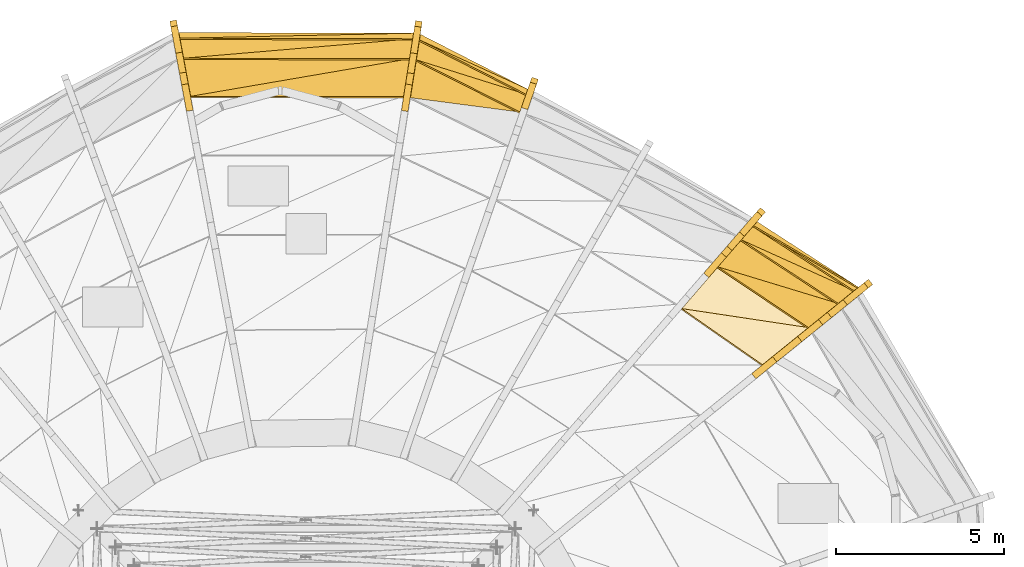
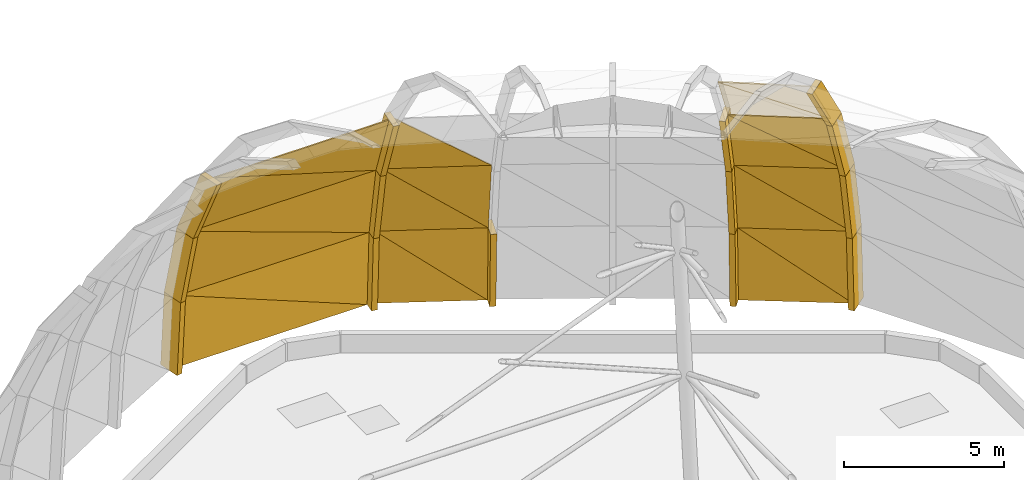
# One storey, part 27 of 27: 19 coverings, 14 shading devices.
"""IFC4 building model written with IfcOpenShell, lengths in metres."""

from ifc_helpers import new_model, si_unit, direction, frame, origin, place, context, subcontext, project, spatial, polyline, outline, extrude, material, layer, layer_set, type_object, element, save


model = new_model("IFC4")

# Units and contexts
model_context = context("Model", 3, precision=1e-05, world=origin(), true_north=direction((0.0, 1.0)))
body_context = subcontext(model_context, "Body", "Model", "MODEL_VIEW")
ifc_project = project(units=[si_unit("LENGTHUNIT", "METRE"), si_unit("AREAUNIT", "SQUARE_METRE"), si_unit("VOLUMEUNIT", "CUBIC_METRE"), si_unit("PLANEANGLEUNIT", "RADIAN"), si_unit("MASSUNIT", "GRAM", prefix="KILO")], contexts=[model_context])

# Site, building, storey
site_placement = place(None, origin())
site = spatial("IfcSite", under=ifc_project, at=site_placement, CompositionType="ELEMENT")
building_placement = place(site_placement, origin())
building = spatial("IfcBuilding", under=site, at=building_placement, Name="Ayvan Gate Tower", CompositionType="ELEMENT")
storey_placement = place(building_placement, frame((0.0, 0.0, 267.699951171875)))
storey = spatial("IfcBuildingStorey", under=building, at=storey_placement, Name="Roof", CompositionType="ELEMENT", Elevation=267.699951171875)

# Shading devices
ifc_material_1 = material(Name="Bronze anodised aluminium", Category="aluminium")
ifc_layer_1 = layer(ifc_material_1, 0.199951171875)
ifc_layer_set_1 = layer_set([ifc_layer_1], Name="Bronze anodised aluminium")
shading_device_type = type_object("IfcShadingDeviceType", Name="Crown frame rib 800 x 200", PredefinedType="USERDEFINED", material=ifc_layer_set_1)
shading_device_1_placement = place(storey_placement, frame((-3.712646484375, 20.570068359375, 0.0), z_axis=(0.983263666247, 0.182187588066, 0.000495372083), x_axis=(-0.18218761042, 0.98326378689, 0.0)))
element("IfcShadingDevice", 1, at=shading_device_1_placement, inside=storey, type_object=shading_device_type, Name="CROWN FRAME rib FD01.3.1", ObjectType="FIN", PredefinedType="USERDEFINED", context=body_context, shape_type="SweptSolid", body=[
    extrude(outline(polyline([(0.0, 0.0), (0.8000102355421451, 0.0), (0.6301908031982645, 2.870117539654117), (-0.16981943234388058, 2.870117539654117), (0.0, 0.0)])), origin(), (0.0, 0.0, -1.0), 0.199951171875),
])
shading_device_2_placement = place(storey_placement, frame((-3.681640625, 20.403076171875, 2.8701171875), z_axis=(0.983263669181, 0.18218758861, 0.000489310608), x_axis=(-0.18218761042, 0.98326378689, 0.0)))
element("IfcShadingDevice", 2, at=shading_device_2_placement, inside=storey, type_object=shading_device_type, Name="CROWN FRAME rib FD02.3.1", ObjectType="FIN", PredefinedType="USERDEFINED", context=body_context, shape_type="SweptSolid", body=[
    extrude(outline(polyline([(0.0, 0.0), (0.8000102355421451, 1.3552527156068805e-20), (0.19367447059335557, 2.7768558011741904), (-0.6063357649487896, 2.7768558011741904), (0.0, 0.0)])), origin(), (0.0, 0.0, -1.0), 0.199951171875),
])
shading_device_3_placement = place(storey_placement, frame((-3.571044921875, 19.80712890625, 5.64697265625), z_axis=(0.983258575072, 0.182214921409, 0.000544943434), x_axis=(-0.182214948472, 0.983258721066, 1.5156e-08)))
element("IfcShadingDevice", 3, at=shading_device_3_placement, inside=storey, type_object=shading_device_type, Name="CROWN FRAME rib FD03.3.1", ObjectType="FIN", PredefinedType="USERDEFINED", context=body_context, shape_type="SweptSolid", body=[
    extrude(outline(polyline([(0.0, 0.0), (0.7997701818342307, 1.3552527156068805e-20), (-0.3508238997213782, 2.6601566503015732), (-1.1508341349543068, 2.660156674547604), (0.0, 0.0)])), origin(), (0.0, 0.0, -1.0), 0.199951171875),
])
shading_device_4_placement = place(storey_placement, frame((16.230224609375, 12.986083984375, 0.0), z_axis=(0.628539467222, -0.777777534457, 0.000495012679), x_axis=(0.777777629746, 0.628539544234, 1.1271e-08)))
element("IfcShadingDevice", 4, at=shading_device_4_placement, inside=storey, type_object=shading_device_type, Name="CROWN FRAME rib FD01.2.1", ObjectType="FIN", PredefinedType="USERDEFINED", context=body_context, shape_type="SweptSolid", body=[
    extrude(outline(polyline([(0.0, 0.0), (0.8001334568715626, -2.710505431213761e-20), (0.6317635222906567, 2.8701175320230115), (-0.16802659542710222, 2.8701175500549683), (0.0, 0.0)])), origin(), (0.0, 0.0, -1.0), 0.199951171875),
])
shading_device_5_placement = place(storey_placement, frame((16.099609375, 12.88037109375, 2.8701171875), z_axis=(0.628706327359, -0.777642583549, 0.000605135247), x_axis=(0.777642725931, 0.628706442472, 0.0)))
element("IfcShadingDevice", 5, at=shading_device_5_placement, inside=storey, type_object=shading_device_type, Name="CROWN FRAME rib FD02.2.1", ObjectType="FIN", PredefinedType="USERDEFINED", context=body_context, shape_type="SweptSolid", body=[
    extrude(outline(polyline([(0.0, 0.0), (0.7999435881752508, -5.421010862427522e-20), (0.19946074309222567, 2.776855977176641), (-0.6004828450830252, 2.776855977176641), (0.0, 0.0)])), origin(), (0.0, 0.0, -1.0), 0.199951171875),
])
shading_device_6_placement = place(storey_placement, frame((15.632568359375, 12.5029296875, 5.64697265625), z_axis=(0.628631716618, -0.777702878544, 0.000630528891), x_axis=(0.777703033114, 0.628631841609, 6.0486e-08)))
element("IfcShadingDevice", 6, at=shading_device_6_placement, inside=storey, type_object=shading_device_type, Name="CROWN FRAME rib FD03.2.1", ObjectType="FIN", PredefinedType="USERDEFINED", context=body_context, shape_type="SweptSolid", body=[
    extrude(outline(polyline([(0.0, 0.0), (0.799943584494611, -5.421010862427522e-20), (-0.3395668714036482, 2.660156799333819), (-1.1397003248028281, 2.660156896115454), (0.0, 0.0)])), origin(), (0.0, 0.0, -1.0), 0.199951171875),
])
shading_device_7_placement = place(storey_placement, frame((14.74609375, 11.786865234375, 8.30712890625), z_axis=(0.628447116176, -0.777852100813, 0.000575699612), x_axis=(0.777852229735, 0.628447220295, -5.5207e-08)))
element("IfcShadingDevice", 7, at=shading_device_7_placement, inside=storey, type_object=shading_device_type, Name="CROWN FRAME rib FD04.2.1", ObjectType="FIN", PredefinedType="USERDEFINED", context=body_context, shape_type="SweptSolid", body=[
    extrude(outline(polyline([(0.0, 0.0), (0.7999800195755735, 2.710505431213761e-20), (-0.9577509055531255, 2.3798831540076946), (-1.7575410197991737, 2.379883065688877), (0.0, 0.0)])), origin(), (0.0, 0.0, -1.0), 0.199951171875),
])
shading_device_8_placement = place(storey_placement, frame((13.140625, 15.04052734375, 0.0), z_axis=(0.756383476631, -0.654128244721, 0.000525107487), x_axis=(0.654128334905, 0.756383580912, 0.0)))
element("IfcShadingDevice", 8, at=shading_device_8_placement, inside=storey, type_object=shading_device_type, Name="CROWN FRAME rib FD01.2.2", ObjectType="FIN", PredefinedType="USERDEFINED", context=body_context, shape_type="SweptSolid", body=[
    extrude(outline(polyline([(0.0, 0.0), (0.7998328943367281, -2.710505431213761e-20), (0.6429526628097313, 2.8701175832000856), (-0.1568802315269968, 2.8701175832000856), (0.0, 0.0)])), origin(), (0.0, 0.0, -1.0), 0.199951171875),
])
shading_device_9_placement = place(storey_placement, frame((13.0380859375, 14.921875, 2.8701171875), z_axis=(0.75637324614, -0.654140025459, 0.000582765499), x_axis=(0.654140136533, 0.756373374582, 9.093e-09)))
element("IfcShadingDevice", 9, at=shading_device_9_placement, inside=storey, type_object=shading_device_type, Name="CROWN FRAME rib FD02.2.2", ObjectType="FIN", PredefinedType="USERDEFINED", context=body_context, shape_type="SweptSolid", body=[
    extrude(outline(polyline([(0.0, 0.0), (0.7998328942393693, -5.421010862427522e-20), (0.2403611592353003, 2.7768559380963236), (-0.5598160986542435, 2.776855952644866), (0.0, 0.0)])), origin(), (0.0, 0.0, -1.0), 0.199951171875),
])
shading_device_10_placement = place(storey_placement, frame((12.671875, 14.49853515625, 5.64697265625), z_axis=(0.756438527955, -0.654064535971, 0.000579836105), x_axis=(0.654064645893, 0.756438655142, 6.6925e-08)))
element("IfcShadingDevice", 10, at=shading_device_10_placement, inside=storey, type_object=shading_device_type, Name="CROWN FRAME rib FD03.2.2", ObjectType="FIN", PredefinedType="USERDEFINED", context=body_context, shape_type="SweptSolid", body=[
    extrude(outline(polyline([(0.0, 0.0), (0.8000175689075747, 0.0), (-0.2621155783165125, 2.6601567147276937), (-1.062292830975526, 2.6601568218210083), (0.0, 0.0)])), origin(), (0.0, 0.0, -1.0), 0.199951171875),
])
shading_device_11_placement = place(storey_placement, frame((6.643798828125, 18.834716796875, 0.0), z_axis=(0.944704389818, -0.327922748138, 0.00053582844), x_axis=(0.327922795238, 0.944704525427, -5.0421e-08)))
element("IfcShadingDevice", 11, at=shading_device_11_placement, inside=storey, type_object=shading_device_type, Name="CROWN FRAME rib FD01.2.4", ObjectType="FIN", PredefinedType="USERDEFINED", context=body_context, shape_type="SweptSolid", body=[
    extrude(outline(polyline([(0.0, 0.0), (0.8001274940440791, -2.710505431213761e-20), (0.6432168306664027, 2.8701176319541917), (-0.15659996334821696, 2.8701175512840194), (0.0, 0.0)])), origin(), (0.0, 0.0, -1.0), 0.199951171875),
])
shading_device_12_placement = place(storey_placement, frame((3.32861328125, 20.517822265625, 0.0), z_axis=(0.987861607713, -0.155335668312, 0.00052360011), x_axis=(0.155335689605, 0.987861743127, 0.0)))
element("IfcShadingDevice", 12, at=shading_device_12_placement, inside=storey, type_object=shading_device_type, Name="CROWN FRAME rib FD01.2.5", ObjectType="FIN", PredefinedType="USERDEFINED", context=body_context, shape_type="SweptSolid", body=[
    extrude(outline(polyline([(0.0, 0.0), (0.7999937325470513, 0.0), (0.6319490410165456, 2.870117580931547), (-0.1680446915305056, 2.870117580931547), (0.0, 0.0)])), origin(), (0.0, 0.0, -1.0), 0.199951171875),
])
shading_device_13_placement = place(storey_placement, frame((3.302490234375, 20.351806640625, 2.8701171875), z_axis=(0.987861606595, -0.155335668136, 0.000525757469), x_axis=(0.155335689605, 0.987861743127, 0.0)))
element("IfcShadingDevice", 13, at=shading_device_13_placement, inside=storey, type_object=shading_device_type, Name="CROWN FRAME rib FD02.2.5", ObjectType="FIN", PredefinedType="USERDEFINED", context=body_context, shape_type="SweptSolid", body=[
    extrude(outline(polyline([(0.0, 0.0), (0.7999937325470513, 0.0), (0.1994599382053806, 2.776855852540547), (-0.6005337943416706, 2.776855852540547), (0.0, 0.0)])), origin(), (0.0, 0.0, -1.0), 0.199951171875),
])
shading_device_14_placement = place(storey_placement, frame((3.209228515625, 19.758544921875, 5.64697265625), z_axis=(0.98783817673, -0.155484569368, 0.00053411908), x_axis=(0.155484591504, 0.987838317644, 8.051e-08)))
element("IfcShadingDevice", 14, at=shading_device_14_placement, inside=storey, type_object=shading_device_type, Name="CROWN FRAME rib FD03.2.5", ObjectType="FIN", PredefinedType="USERDEFINED", context=body_context, shape_type="SweptSolid", body=[
    extrude(outline(polyline([(0.0, 0.0), (0.7999937234589085, 0.0), (-0.3395553496597819, 2.660156656786473), (-1.1395870332240379, 2.6601567856038097), (0.0, 0.0)])), origin(), (0.0, 0.0, -1.0), 0.199951171875),
])

# Coverings
ifc_material_2 = material(Name="Pale metal cladding")
ifc_layer_2 = layer(ifc_material_2, 0.0400390625)
ifc_layer_set_2 = layer_set([ifc_layer_2], Name="Pale metal cladding")
covering_type = type_object("IfcCoveringType", Name="Dome cladding panel 40", PredefinedType="CLADDING", material=ifc_layer_set_2)
covering_1_placement = place(storey_placement, frame((16.426513671875, 13.409912109375, 0.0009765625), z_axis=(0.542443455401, 0.838352574618, 0.054037564013), x_axis=(-0.83957928102, 0.543237177374, 0.0)))
element("IfcCovering", 15, at=covering_1_placement, inside=storey, type_object=covering_type, Name="Dome cladding panel 19.1A", PredefinedType="CLADDING", context=body_context, shape_type="SweptSolid", body=[
    extrude(outline(polyline([(0.0, 0.0), (3.5895024366703954, 0.0), (3.6111357447330357, 2.8743168419610465), (0.0, 0.0)])), origin(), (0.0, 0.0, -1.0), 0.0400390625),
])
covering_2_placement = place(storey_placement, frame((16.4267578125, 13.409912109375, 0.001220703125), z_axis=(0.543460495196, 0.837589480119, 0.05562870622), x_axis=(-0.675175494042, 0.396779330994, 0.621855461294)))
element("IfcCovering", 16, at=covering_2_placement, inside=storey, type_object=covering_type, Name="Dome cladding panel 19.1B", PredefinedType="CLADDING", context=body_context, shape_type="SweptSolid", body=[
    extrude(outline(polyline([(0.0, 0.0), (4.61540883073965, 0.0), (1.8312064007466498, 2.216428473720074), (0.0, 0.0)])), origin(), (0.0, 0.0, -1.0), 0.0400390625),
])
covering_3_placement = place(storey_placement, frame((16.295654296875, 13.3037109375, 2.8740234375), z_axis=(0.533771713744, 0.822656984581, 0.195763232826), x_axis=(-0.838888478262, 0.544303335503, 0.0)))
element("IfcCovering", 17, at=covering_3_placement, inside=storey, type_object=covering_type, Name="Dome cladding panel 19.2A", PredefinedType="CLADDING", context=body_context, shape_type="SweptSolid", body=[
    extrude(outline(polyline([(0.0, 0.0), (3.5586989687659756, -5.551115123125783e-17), (3.635279009086402, 2.8316444182616793), (0.0, 0.0)])), origin(), (0.0, 0.0, -1.0), 0.0400390625),
])
covering_4_placement = place(storey_placement, frame((16.295654296875, 13.3037109375, 2.874267578125), z_axis=(0.537048277991, 0.819092222591, 0.20166079936), x_axis=(-0.727286062337, 0.328489370328, 0.602619048082)))
element("IfcCovering", 18, at=covering_4_placement, inside=storey, type_object=covering_type, Name="Dome cladding panel 19.2B", PredefinedType="CLADDING", context=body_context, shape_type="SweptSolid", body=[
    extrude(outline(polyline([(0.0, 0.0), (4.607978253570295, 0.0), (1.8890729305691432, 2.1220082664178532), (0.0, 0.0)])), origin(), (0.0, 0.0, -1.0), 0.0400390625),
])
covering_5_placement = place(storey_placement, frame((15.828125, 12.925537109375, 5.654296875), z_axis=(0.509821624743, 0.77756683123, 0.368064850149), x_axis=(-0.836273101268, 0.548313140547, 0.0)))
element("IfcCovering", 19, at=covering_5_placement, inside=storey, type_object=covering_type, Name="Dome cladding panel 19.3A", PredefinedType="CLADDING", context=body_context, shape_type="SweptSolid", body=[
    extrude(outline(polyline([(0.0, 0.0), (3.4489658215455976, 1.1102230246251565e-16), (3.5896813913135803, 2.860997958881439), (0.0, 0.0)])), origin(), (0.0, 0.0, -1.0), 0.0400390625),
])
covering_6_placement = place(storey_placement, frame((15.828125, 12.92529296875, 5.654541015625), z_axis=(0.515104614671, 0.768927310843, 0.378705725577), x_axis=(-0.779757960075, 0.236943026542, 0.579513180068)))
element("IfcCovering", 20, at=covering_6_placement, inside=storey, type_object=covering_type, Name="Dome cladding panel 19.3B", PredefinedType="CLADDING", context=body_context, shape_type="SweptSolid", body=[
    extrude(outline(polyline([(0.0, 0.0), (4.590329161603421, -2.220446049250313e-16), (2.0631069148387753, 2.0295212161751732), (0.0, 0.0)])), origin(), (0.0, 0.0, -1.0), 0.0400390625),
])
covering_7_placement = place(storey_placement, frame((14.940673828125, 12.207275390625, 8.318359375), z_axis=(0.459564615946, 0.686019449706, 0.564072405277), x_axis=(-0.830808289728, 0.556558699257, 0.0)))
element("IfcCovering", 21, at=covering_7_placement, inside=storey, type_object=covering_type, Name="Dome cladding panel 19.4A", PredefinedType="CLADDING", context=body_context, shape_type="SweptSolid", body=[
    extrude(outline(polyline([(0.0, 0.0), (3.2412665196566754, -1.1102230246251565e-16), (3.441921349951946, 2.882172466179736), (0.0, 0.0)])), origin(), (0.0, 0.0, -1.0), 0.0400390625),
])
covering_8_placement = place(storey_placement, frame((14.940673828125, 12.20703125, 8.318603515625), z_axis=(0.466146539714, 0.669429514476, 0.578421583848), x_axis=(-0.838529656717, 0.125841988822, 0.530124333204)))
element("IfcCovering", 22, at=covering_8_placement, inside=storey, type_object=covering_type, Name="Dome cladding panel 19.4B", PredefinedType="CLADDING", context=body_context, shape_type="SweptSolid", body=[
    extrude(outline(polyline([(0.0, 0.0), (4.48929178201413, 0.0), (2.268864841456291, 1.8985604210623306), (0.0, 0.0)])), origin(), (0.0, 0.0, -1.0), 0.0400390625),
])
covering_9_placement = place(storey_placement, frame((6.59521484375, 19.296142578125, 0.001220703125), z_axis=(0.454759492337, 0.888872795058, 0.055668288415), x_axis=(-0.890253294349, 0.455465774676, 0.0)))
element("IfcCovering", 23, at=covering_9_placement, inside=storey, type_object=covering_type, Name="Dome cladding panel 22.1A", PredefinedType="CLADDING", context=body_context, shape_type="SweptSolid", body=[
    extrude(outline(polyline([(0.0, 0.0), (3.589217271403041, 0.0), (3.5369651139897895, 2.8745747372908768), (0.0, 0.0)])), origin(), (0.0, 0.0, -1.0), 0.0400390625),
])
covering_10_placement = place(storey_placement, frame((6.59521484375, 19.296142578125, 0.0009765625), z_axis=(0.453642393626, 0.889541902935, 0.054072004095), x_axis=(-0.706853788518, 0.322198055315, 0.629719091984)))
element("IfcCovering", 24, at=covering_10_placement, inside=storey, type_object=covering_type, Name="Dome cladding panel 22.1B", PredefinedType="CLADDING", context=body_context, shape_type="SweptSolid", body=[
    extrude(outline(polyline([(0.0, 0.0), (4.557773813809952, 4.440892098500626e-16), (1.796032611123738, 2.244204638600467), (0.0, 0.0)])), origin(), (0.0, 0.0, -1.0), 0.0400390625),
])
covering_11_placement = place(storey_placement, frame((6.54345703125, 19.1474609375, 2.8740234375), z_axis=(0.44500739883, 0.872609645697, 0.201297842074), x_axis=(-0.89084517463, 0.454307027062, 0.0)))
element("IfcCovering", 25, at=covering_11_placement, inside=storey, type_object=covering_type, Name="Dome cladding panel 22.2A", PredefinedType="CLADDING", context=body_context, shape_type="SweptSolid", body=[
    extrude(outline(polyline([(0.0, 0.0), (3.558604913520262, 0.0), (3.372274612732882, 2.8348853432695855), (0.0, 0.0)])), origin(), (0.0, 0.0, -1.0), 0.0400390625),
])
covering_12_placement = place(storey_placement, frame((6.54345703125, 19.147705078125, 2.8740234375), z_axis=(0.441402413644, 0.875655204925, 0.195938437571), x_axis=(-0.740754903308, 0.232362183704, 0.630309438934)))
element("IfcCovering", 26, at=covering_12_placement, inside=storey, type_object=covering_type, Name="Dome cladding panel 22.2B", PredefinedType="CLADDING", context=body_context, shape_type="SweptSolid", body=[
    extrude(outline(polyline([(0.0, 0.0), (4.405543209771914, 0.0), (1.7634010634321526, 2.2169096007000486), (0.0, 0.0)])), origin(), (0.0, 0.0, -1.0), 0.0400390625),
])
covering_13_placement = place(storey_placement, frame((6.359375, 18.617919921875, 5.654541015625), z_axis=(0.416785076398, 0.826819270131, 0.37770371276), x_axis=(-0.892964246664, 0.450127597665, 0.0)))
element("IfcCovering", 27, at=covering_13_placement, inside=storey, type_object=covering_type, Name="Dome cladding panel 22.3A", PredefinedType="CLADDING", context=body_context, shape_type="SweptSolid", body=[
    extrude(outline(polyline([(0.0, 0.0), (3.449000333305425, -1.1102230246251565e-16), (3.1002236239310883, 2.872966931957529), (0.0, 0.0)])), origin(), (0.0, 0.0, -1.0), 0.0400390625),
])
covering_14_placement = place(storey_placement, frame((3.193115234375, 20.964111328125, 0.001220703125), z_axis=(0.00275911194, 0.998309565873, 0.058055128866), x_axis=(-0.999996180771, 0.00276377338, 0.0)))
element("IfcCovering", 28, at=covering_14_placement, inside=storey, type_object=covering_type, Name="Dome cladding panel 23.1A", PredefinedType="CLADDING", context=body_context, shape_type="SweptSolid", body=[
    extrude(outline(polyline([(0.0, 0.0), (6.978542277650626, 0.0), (6.947319147824268, 2.8749661667875754), (0.0, 0.0)])), origin(), (0.0, 0.0, -1.0), 0.0400390625),
])
covering_15_placement = place(storey_placement, frame((3.193115234375, 20.964111328125, 0.001220703125), z_axis=(0.002640982038, 0.9983264236, 0.057770036843), x_axis=(-0.924064627499, -0.019645059373, 0.381731104114)))
element("IfcCovering", 29, at=covering_15_placement, inside=storey, type_object=covering_type, Name="Dome cladding panel 23.1B", PredefinedType="CLADDING", context=body_context, shape_type="SweptSolid", body=[
    extrude(outline(polyline([(0.0, 0.0), (7.518688303281295, 0.0), (1.1230137733103658, 2.6466311296174796), (0.0, 0.0)])), origin(), (0.0, 0.0, -1.0), 0.0400390625),
])
covering_16_placement = place(storey_placement, frame((3.1669921875, 20.797607421875, 2.874267578125), z_axis=(0.002586561701, 0.977754810654, 0.2097351662), x_axis=(-0.999996500923, 0.002645400077, 0.0)))
element("IfcCovering", 30, at=covering_16_placement, inside=storey, type_object=covering_type, Name="Dome cladding panel 23.2A", PredefinedType="CLADDING", context=body_context, shape_type="SweptSolid", body=[
    extrude(outline(polyline([(0.0, 0.0), (6.921655078778426, 0.0), (6.809483243694213, 2.8400225926383493), (0.0, 0.0)])), origin(), (0.0, 0.0, -1.0), 0.0400390625),
])
covering_17_placement = place(storey_placement, frame((3.1669921875, 20.797607421875, 2.874267578125), z_axis=(0.002274545556, 0.97791243009, 0.209002644762), x_axis=(-0.923155464041, -0.07829184271, 0.37636999957)))
element("IfcCovering", 31, at=covering_17_placement, inside=storey, type_object=covering_type, Name="Dome cladding panel 23.2B", PredefinedType="CLADDING", context=body_context, shape_type="SweptSolid", body=[
    extrude(outline(polyline([(0.0, 0.0), (7.377993654974807, 4.440892098500626e-16), (1.1776677099993706, 2.5854752511424337), (0.0, 0.0)])), origin(), (0.0, 0.0, -1.0), 0.0400390625),
])
covering_18_placement = place(storey_placement, frame((3.07373046875, 20.203125, 5.65478515625), z_axis=(0.002140455109, 0.920261918222, 0.391297099813), x_axis=(-0.99999729506, 0.002325913174, 0.0)))
element("IfcCovering", 32, at=covering_18_placement, inside=storey, type_object=covering_type, Name="Dome cladding panel 23.3A", PredefinedType="CLADDING", context=body_context, shape_type="SweptSolid", body=[
    extrude(outline(polyline([(0.0, 0.0), (6.717791608721245, 8.673617379884035e-19), (6.505199254885469, 2.890643415493391), (0.0, 0.0)])), origin(), (0.0, 0.0, -1.0), 0.0400390625),
])
covering_19_placement = place(storey_placement, frame((3.07373046875, 20.203125, 5.65478515625), z_axis=(0.001420535105, 0.920897394919, 0.389802475764), x_axis=(-0.914207652026, -0.156769326884, 0.373694724508)))
element("IfcCovering", 33, at=covering_19_placement, inside=storey, type_object=covering_type, Name="Dome cladding panel 23.3B", PredefinedType="CLADDING", context=body_context, shape_type="SweptSolid", body=[
    extrude(outline(polyline([(0.0, 0.0), (7.1185277060146195, 0.0), (1.3323832109903504, 2.5690055333836326), (0.0, 0.0)])), origin(), (0.0, 0.0, -1.0), 0.0400390625),
])

save(model, "model.ifc")
